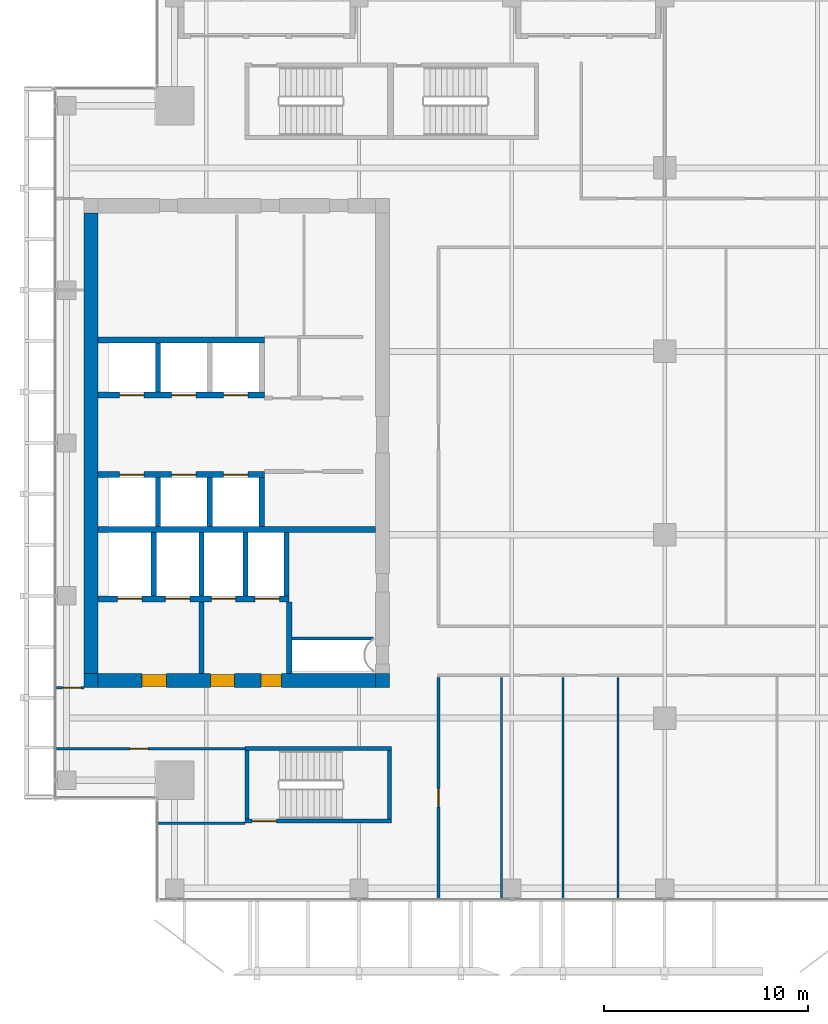
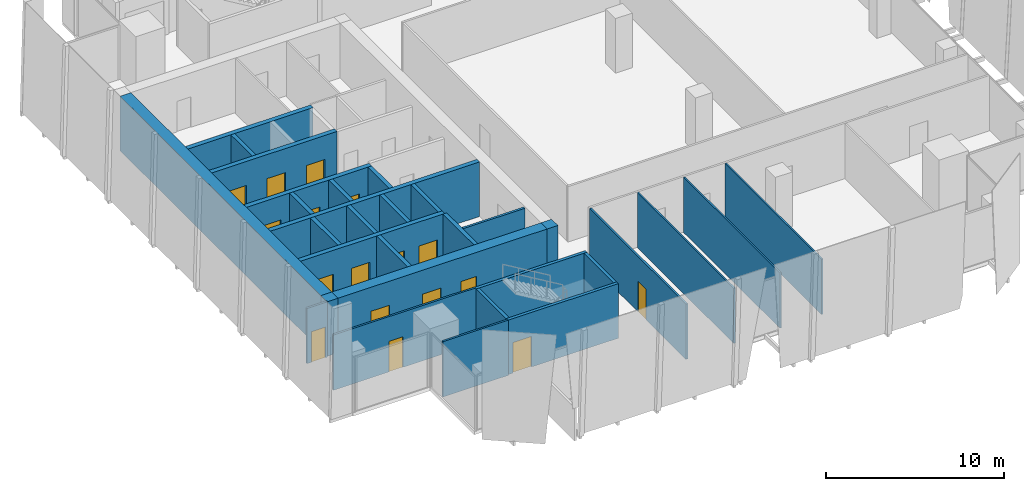
# One storey, part 28 of 35: 31 walls, 17 doors, 17 openings.
"""IFC4 building model written with IfcOpenShell, lengths in metres."""

from ifc_helpers import new_model, si_unit, direction, frame, frame_2d, origin, place, context, subcontext, project, spatial, rectangle, extrude, source, transform, mapped, material, layer, layer_set, type_object, element, fill, save


model = new_model("IFC4")

# Units and contexts
model_context = context("Model", 3, precision=1e-05, world=origin(), true_north=direction((0.0, 1.0)))
body_context = subcontext(model_context, "Body", "Model", "MODEL_VIEW")
ifc_project = project(units=[si_unit("LENGTHUNIT", "METRE"), si_unit("AREAUNIT", "SQUARE_METRE"), si_unit("VOLUMEUNIT", "CUBIC_METRE"), si_unit("PLANEANGLEUNIT", "RADIAN"), si_unit("MASSUNIT", "GRAM", prefix="KILO")], contexts=[model_context])

# Site, building, storey
site_placement = place(None, origin())
site = spatial("IfcSite", under=ifc_project, at=site_placement, CompositionType="ELEMENT")
building_placement = place(site_placement, origin())
building = spatial("IfcBuilding", under=site, at=building_placement, Name="Khomas Fold Tower", CompositionType="ELEMENT")
storey_placement = place(building_placement, frame((0.0, 0.0, 266.199951171875)))
storey = spatial("IfcBuildingStorey", under=building, at=storey_placement, Name="L60", CompositionType="ELEMENT", Elevation=266.199951171875)

# Wall
ifc_material_1 = material(Name="Concrete C50/60", Category="concrete")
ifc_layer_1 = layer(ifc_material_1, 0.199951171875)
ifc_layer_set_1 = layer_set([ifc_layer_1], Name="Concrete C50/60")
wall_type_1 = type_object("IfcWallType", Name="Stair wall 200", PredefinedType="SHEAR", material=ifc_layer_set_1)
shared_shape_1 = source(origin(), body_context, "Body", "SweptSolid", [
    extrude(rectangle(XDim=7.2001953125, YDim=0.199951171875, at=frame_2d((3.60009765625, 0.0))), origin(), (0.0, 0.0, 1.0), 3.75),
])
wall_1_placement = place(storey_placement, frame((13.89990234375, 12.0, 0.0), z_axis=(0.0, 0.0, 1.0), x_axis=(1.0, 0.0, 0.0)))
element("IfcWall", 1, at=wall_1_placement, inside=storey, type_object=wall_type_1, Name="Stair wall SW-ST2-NH", PredefinedType="SHEAR", context=body_context, shape_type="MappedRepresentation", body=[
    mapped(shared_shape_1, transform((0.0, 0.0, 0.0))),
])

# Wall, opening, door
wall_2_placement = place(storey_placement, frame((13.89990234375, 8.449951171875, 0.0), z_axis=(0.0, 0.0, 1.0), x_axis=(1.0, 0.0, 0.0)))
wall_2 = element("IfcWall", 2, at=wall_2_placement, inside=storey, type_object=wall_type_1, Name="Stair wall SW-ST2-S", PredefinedType="SHEAR", context=body_context, shape_type="MappedRepresentation", body=[
    mapped(shared_shape_1, transform((0.0, 0.0, 0.0))),
])
shared_shape_2 = source(origin(), body_context, "Body", "SweptSolid", [
    extrude(rectangle(XDim=1.199951171875, YDim=2.10009765625, at=frame_2d((0.60009765625, 1.050048828125))), frame((0.0, 0.10986328125, 0.0), z_axis=(0.0, -1.0, 0.0), x_axis=(1.0, 0.0, 0.0)), (0.0, 0.0, 1.0), 0.219970703125),
])
opening_1_placement = place(wall_2_placement, frame((0.35009765625, 0.0, 0.0)))
opening_1 = element("IfcOpeningElement", 3, at=opening_1_placement, cuts=wall_2, Name="Opening SD-ST2", PredefinedType="OPENING", context=body_context, shape_type="MappedRepresentation", body=[
    mapped(shared_shape_2, transform((0.0, 0.0, 0.0))),
])
ifc_material_2 = material(Name="Steel door leaf", Category="steel")
door_type_1 = type_object("IfcDoorType", Name="Stair door 1200x2100 right-hand", OperationType="SINGLE_SWING_RIGHT", PredefinedType="DOOR", material=ifc_material_2)
shared_shape_3 = source(origin(), body_context, "Body", "SweptSolid", [
    extrude(rectangle(XDim=1.199951171875, YDim=2.10009765625, at=frame_2d((0.60009765625, 1.050048828125))), frame((0.0, 0.02490234375, 0.0), z_axis=(0.0, -1.0, 0.0), x_axis=(1.0, 0.0, 0.0)), (0.0, 0.0, 1.0), 0.050048828125),
])
door_1_placement = place(opening_1_placement, origin())
door_1 = element("IfcDoor", 4, at=door_1_placement, inside=storey, type_object=door_type_1, Name="Stair door", OperationType="SINGLE_SWING_RIGHT", OverallHeight=2.10009765625, OverallWidth=1.199951171875, PredefinedType="DOOR", context=body_context, shape_type="MappedRepresentation", body=[
    mapped(shared_shape_3, transform((0.0, 0.0, 0.0))),
])
fill(opening_1, door_1)

# Walls
shared_shape_4 = source(origin(), body_context, "Body", "SweptSolid", [
    extrude(rectangle(XDim=3.349853515625, YDim=0.199951171875, at=frame_2d((1.6748046875, 0.0))), origin(), (0.0, 0.0, 1.0), 3.75),
])
for number, where, z_axis, x_axis, name in (
    (5, (21.0, 8.550048828125, 0.0), (0.0, 0.0, 1.0), (0.0, 1.0, 0.0), "Stair wall SW-ST2-E"),
    (6, (14.0, 8.550048828125, 0.0), (0.0, 0.0, 1.0), (0.0, 1.0, 0.0), "Stair wall SW-ST2-W"),
):
    element("IfcWall", number, at=place(storey_placement, frame(where, z_axis=z_axis, x_axis=x_axis)), inside=storey, type_object=wall_type_1, Name=name, PredefinedType="SHEAR", context=body_context, shape_type="MappedRepresentation", body=[
        mapped(shared_shape_4, transform((0.0, 0.0, 0.0))),
    ])
ifc_material_3 = material(Name="Concrete C50/60", Category="concrete")
ifc_layer_2 = layer(ifc_material_3, 0.25)
ifc_layer_set_2 = layer_set([ifc_layer_2], Name="Concrete C50/60")
wall_type_2 = type_object("IfcWallType", Name="Shaft wall 250", PredefinedType="STANDARD", material=ifc_layer_set_2)
shared_shape_5 = source(origin(), body_context, "Body", "SweptSolid", [
    extrude(rectangle(XDim=3.10009765625, YDim=0.25, at=frame_2d((1.550048828125, 0.0))), origin(), (0.0, 0.0, 1.0), 3.75),
])
for number, where, z_axis, x_axis, name in (
    (7, (9.425048828125, 19.5, 0.0), (0.0, 0.0, 1.0), (0.0, 1.0, 0.0), "Core wall SW-FS-P1"),
    (8, (11.77490234375, 19.5, 0.0), (0.0, 0.0, 1.0), (0.0, 1.0, 0.0), "Core wall SW-FS-P2"),
    (9, (13.925048828125, 19.5, 0.0), (0.0, 0.0, 1.0), (0.0, 1.0, 0.0), "Core wall SW-FS-P3"),
    (10, (15.949951171875, 19.5, 0.0), (0.0, 0.0, 1.0), (0.0, 1.0, 0.0), "Core wall SW-FS-PE"),
):
    element("IfcWall", number, at=place(storey_placement, frame(where, z_axis=z_axis, x_axis=x_axis)), inside=storey, type_object=wall_type_2, Name=name, PredefinedType="STANDARD", context=body_context, shape_type="MappedRepresentation", body=[
        mapped(shared_shape_5, transform((0.0, 0.0, 0.0))),
    ])
shared_shape_6 = source(origin(), body_context, "Body", "SweptSolid", [
    extrude(rectangle(XDim=2.39990234375, YDim=0.25, at=frame_2d((1.199951171875, 0.0))), origin(), (0.0, 0.0, 1.0), 3.75),
])
wall_3_placement = place(storey_placement, frame((9.625, 29.5, 0.0), z_axis=(0.0, 0.0, 1.0), x_axis=(0.0, 1.0, 0.0)))
element("IfcWall", 11, at=wall_3_placement, inside=storey, type_object=wall_type_2, Name="Core wall SW-HRN-P1", PredefinedType="STANDARD", context=body_context, shape_type="MappedRepresentation", body=[
    mapped(shared_shape_6, transform((0.0, 0.0, 0.0))),
])
shared_shape_7 = source(origin(), body_context, "Body", "SweptSolid", [
    extrude(rectangle(XDim=2.400146484375, YDim=0.25, at=frame_2d((1.2001953125, 0.0))), origin(), (0.0, 0.0, 1.0), 3.75),
])
for number, where, z_axis, x_axis, name in (
    (12, (9.625, 22.89990234375, 0.0), (0.0, 0.0, 1.0), (0.0, 1.0, 0.0), "Core wall SW-HRS-P1"),
    (13, (12.175048828125, 22.89990234375, 0.0), (0.0, 0.0, 1.0), (0.0, 1.0, 0.0), "Core wall SW-HRS-P2"),
    (14, (14.72509765625, 22.89990234375, 0.0), (0.0, 0.0, 1.0), (0.0, 1.0, 0.0), "Core wall SW-HRS-PE"),
):
    element("IfcWall", number, at=place(storey_placement, frame(where, z_axis=z_axis, x_axis=x_axis)), inside=storey, type_object=wall_type_2, Name=name, PredefinedType="STANDARD", context=body_context, shape_type="MappedRepresentation", body=[
        mapped(shared_shape_7, transform((0.0, 0.0, 0.0))),
    ])

# Wall, openings, doors
ifc_material_4 = material(Name="Concrete C60/75", Category="concrete")
ifc_layer_3 = layer(ifc_material_4, 0.699951171875)
ifc_layer_set_3 = layer_set([ifc_layer_3], Name="Concrete C60/75")
wall_type_3 = type_object("IfcWallType", Name="Core wall 700", PredefinedType="SHEAR", material=ifc_layer_set_3)
shared_shape_8 = source(origin(), body_context, "Body", "SweptSolid", [
    extrude(rectangle(XDim=13.60009765625, YDim=0.699951171875, at=frame_2d((6.800048828125, 0.0))), origin(), (0.0, 0.0, 1.0), 3.75),
])
wall_4_placement = place(storey_placement, frame((6.699951171875, 15.35009765625, 0.0), z_axis=(0.0, 0.0, 1.0), x_axis=(1.0, 0.0, 0.0)))
wall_4 = element("IfcWall", 15, at=wall_4_placement, inside=storey, type_object=wall_type_3, Name="Core wall CW-U-S-L49", PredefinedType="SHEAR", context=body_context, shape_type="MappedRepresentation", body=[
    mapped(shared_shape_8, transform((0.0, 0.0, 0.0))),
])
shared_shape_9 = source(origin(), body_context, "Body", "SweptSolid", [
    extrude(rectangle(XDim=1.199951171875, YDim=2.10009765625, at=frame_2d((0.60009765625, 1.050048828125))), frame((0.0, 0.35986328125, 0.0), z_axis=(0.0, -1.0, 0.0), x_axis=(1.0, 0.0, 0.0)), (0.0, 0.0, 1.0), 0.719970703125),
])
opening_2_placement = place(wall_4_placement, frame((5.5, 0.0, 0.0)))
opening_2 = element("IfcOpeningElement", 16, at=opening_2_placement, cuts=wall_4, Name="Opening 0009", PredefinedType="OPENING", context=body_context, shape_type="MappedRepresentation", body=[
    mapped(shared_shape_9, transform((0.0, 0.0, 0.0))),
])
opening_3_placement = place(wall_4_placement, frame((2.14990234375, 0.0, 0.0)))
opening_3 = element("IfcOpeningElement", 17, at=opening_3_placement, cuts=wall_4, Name="Opening 0009", PredefinedType="OPENING", context=body_context, shape_type="MappedRepresentation", body=[
    mapped(shared_shape_9, transform((0.0, 0.0, 0.0))),
])
shared_shape_10 = source(origin(), body_context, "Body", "SweptSolid", [
    extrude(rectangle(XDim=1.0, YDim=2.10009765625, at=frame_2d((0.5, 1.050048828125))), frame((0.0, 0.35986328125, 0.0), z_axis=(0.0, -1.0, 0.0), x_axis=(1.0, 0.0, 0.0)), (0.0, 0.0, 1.0), 0.719970703125),
])
opening_4_placement = place(wall_4_placement, frame((8.0, 0.0, 0.0)))
opening_4 = element("IfcOpeningElement", 18, at=opening_4_placement, cuts=wall_4, Name="Opening 0010", PredefinedType="OPENING", context=body_context, shape_type="MappedRepresentation", body=[
    mapped(shared_shape_10, transform((0.0, 0.0, 0.0))),
])
ifc_material_5 = material(Name="Steel door leaf", Category="steel")
door_type_2 = type_object("IfcDoorType", Name="Lobby door 1200x2100 right-hand", OperationType="SINGLE_SWING_RIGHT", PredefinedType="DOOR", material=ifc_material_5)
shared_shape_11 = source(origin(), body_context, "Body", "SweptSolid", [
    extrude(rectangle(XDim=1.199951171875, YDim=2.10009765625, at=frame_2d((0.60009765625, 1.050048828125))), frame((0.0, 0.2998046875, 0.0), z_axis=(0.0, -1.0, 0.0), x_axis=(1.0, 0.0, 0.0)), (0.0, 0.0, 1.0), 0.599853515625),
])
door_2_placement = place(opening_2_placement, origin())
door_2 = element("IfcDoor", 19, at=door_2_placement, inside=storey, type_object=door_type_2, Name="Lobby door", OperationType="SINGLE_SWING_RIGHT", OverallHeight=2.10009765625, OverallWidth=1.199951171875, PredefinedType="DOOR", context=body_context, shape_type="MappedRepresentation", body=[
    mapped(shared_shape_11, transform((0.0, 0.0, 0.0))),
])
fill(opening_2, door_2)
door_3_placement = place(opening_3_placement, origin())
door_3 = element("IfcDoor", 20, at=door_3_placement, inside=storey, type_object=door_type_2, Name="Lobby door", OperationType="SINGLE_SWING_RIGHT", OverallHeight=2.10009765625, OverallWidth=1.199951171875, PredefinedType="DOOR", context=body_context, shape_type="MappedRepresentation", body=[
    mapped(shared_shape_11, transform((0.0, 0.0, 0.0))),
])
fill(opening_3, door_3)
ifc_material_6 = material(Name="Steel door leaf", Category="steel")
door_type_3 = type_object("IfcDoorType", Name="Stair door 1000x2100 right-hand", OperationType="SINGLE_SWING_RIGHT", PredefinedType="DOOR", material=ifc_material_6)
shared_shape_12 = source(origin(), body_context, "Body", "SweptSolid", [
    extrude(rectangle(XDim=1.0, YDim=2.10009765625, at=frame_2d((0.5, 1.050048828125))), frame((0.0, 0.2998046875, 0.0), z_axis=(0.0, -1.0, 0.0), x_axis=(1.0, 0.0, 0.0)), (0.0, 0.0, 1.0), 0.599853515625),
])
door_4_placement = place(opening_4_placement, origin())
door_4 = element("IfcDoor", 21, at=door_4_placement, inside=storey, type_object=door_type_3, Name="Stair door", OperationType="SINGLE_SWING_RIGHT", OverallHeight=2.10009765625, OverallWidth=1.0, PredefinedType="DOOR", context=body_context, shape_type="MappedRepresentation", body=[
    mapped(shared_shape_12, transform((0.0, 0.0, 0.0))),
])
fill(opening_4, door_4)

# Walls
ifc_material_7 = material(Name="Concrete C60/75", Category="concrete")
ifc_layer_4 = layer(ifc_material_7, 0.699951171875)
ifc_layer_set_4 = layer_set([ifc_layer_4], Name="Concrete C60/75")
wall_type_4 = type_object("IfcWallType", Name="Core corner wall 700", PredefinedType="SHEAR", material=ifc_layer_set_4)
shared_shape_13 = source(origin(), body_context, "Body", "SweptSolid", [
    extrude(rectangle(XDim=0.699951171875, YDim=0.699951171875, at=frame_2d((0.35009765625, 0.0))), origin(), (0.0, 0.0, 1.0), 3.75),
])
for number, where, z_axis, x_axis, name in (
    (22, (20.300048828125, 15.35009765625, 0.0), (0.0, 0.0, 1.0), (1.0, 0.0, 0.0), "Core wall CW-U-SE-L49"),
    (23, (6.0, 15.35009765625, 0.0), (0.0, 0.0, 1.0), (1.0, 0.0, 0.0), "Core wall CW-U-SW-L49"),
):
    element("IfcWall", number, at=place(storey_placement, frame(where, z_axis=z_axis, x_axis=x_axis)), inside=storey, type_object=wall_type_4, Name=name, PredefinedType="SHEAR", context=body_context, shape_type="MappedRepresentation", body=[
        mapped(shared_shape_13, transform((0.0, 0.0, 0.0))),
    ])
shared_shape_14 = source(origin(), body_context, "Body", "SweptSolid", [
    extrude(rectangle(XDim=22.60009765625, YDim=0.699951171875, at=frame_2d((11.300048828125, 0.0))), origin(), (0.0, 0.0, 1.0), 3.75),
])
wall_5_placement = place(storey_placement, frame((6.35009765625, 15.699951171875, 0.0), z_axis=(0.0, 0.0, 1.0), x_axis=(0.0, 1.0, 0.0)))
element("IfcWall", 24, at=wall_5_placement, inside=storey, type_object=wall_type_3, Name="Core wall CW-U-W-L49", PredefinedType="SHEAR", context=body_context, shape_type="MappedRepresentation", body=[
    mapped(shared_shape_14, transform((0.0, 0.0, 0.0))),
])
ifc_material_8 = material(Name="Concrete C50/60", Category="concrete")
ifc_layer_5 = layer(ifc_material_8, 0.300048828125)
ifc_layer_set_5 = layer_set([ifc_layer_5], Name="Concrete C50/60")
wall_type_5 = type_object("IfcWallType", Name="Shaft wall 300", PredefinedType="STANDARD", material=ifc_layer_set_5)
shared_shape_15 = source(origin(), body_context, "Body", "SweptSolid", [
    extrude(rectangle(XDim=13.60009765625, YDim=0.300048828125, at=frame_2d((6.800048828125, 0.0))), origin(), (0.0, 0.0, 1.0), 3.75),
])
wall_6_placement = place(storey_placement, frame((6.699951171875, 22.75, 0.0), z_axis=(0.0, 0.0, 1.0), x_axis=(1.0, 0.0, 0.0)))
element("IfcWall", 25, at=wall_6_placement, inside=storey, type_object=wall_type_5, Name="Core wall SW-FS-B", PredefinedType="STANDARD", context=body_context, shape_type="MappedRepresentation", body=[
    mapped(shared_shape_15, transform((0.0, 0.0, 0.0))),
])

# Wall, openings, doors
shared_shape_16 = source(origin(), body_context, "Body", "SweptSolid", [
    extrude(rectangle(XDim=9.375, YDim=0.300048828125, at=frame_2d((4.6875, 0.0))), origin(), (0.0, 0.0, 1.0), 3.75),
])
wall_7_placement = place(storey_placement, frame((6.699951171875, 19.35009765625, 0.0), z_axis=(0.0, 0.0, 1.0), x_axis=(1.0, 0.0, 0.0)))
wall_7 = element("IfcWall", 26, at=wall_7_placement, inside=storey, type_object=wall_type_5, Name="Core wall SW-FS-F", PredefinedType="STANDARD", context=body_context, shape_type="MappedRepresentation", body=[
    mapped(shared_shape_16, transform((0.0, 0.0, 0.0))),
])
shared_shape_17 = source(origin(), body_context, "Body", "SweptSolid", [
    extrude(rectangle(XDim=1.199951171875, YDim=2.10009765625, at=frame_2d((0.60009765625, 1.050048828125))), frame((0.0, 0.159912109375, 0.0), z_axis=(0.0, -1.0, 0.0), x_axis=(1.0, 0.0, 0.0)), (0.0, 0.0, 1.0), 0.320068359375),
])
opening_5_placement = place(wall_7_placement, frame((0.949951171875, 0.0, 0.0)))
opening_5 = element("IfcOpeningElement", 27, at=opening_5_placement, cuts=wall_7, Name="Opening LD-SV1", PredefinedType="OPENING", context=body_context, shape_type="MappedRepresentation", body=[
    mapped(shared_shape_17, transform((0.0, 0.0, 0.0))),
])
opening_6_placement = place(wall_7_placement, frame((3.300048828125, 0.0, 0.0)))
opening_6 = element("IfcOpeningElement", 28, at=opening_6_placement, cuts=wall_7, Name="Opening LD-SV2", PredefinedType="OPENING", context=body_context, shape_type="MappedRepresentation", body=[
    mapped(shared_shape_17, transform((0.0, 0.0, 0.0))),
])
opening_7_placement = place(wall_7_placement, frame((5.550048828125, 0.0, 0.0)))
opening_7 = element("IfcOpeningElement", 29, at=opening_7_placement, cuts=wall_7, Name="Opening LD-FF1", PredefinedType="OPENING", context=body_context, shape_type="MappedRepresentation", body=[
    mapped(shared_shape_17, transform((0.0, 0.0, 0.0))),
])
opening_8_placement = place(wall_7_placement, frame((7.699951171875, 0.0, 0.0)))
opening_8 = element("IfcOpeningElement", 30, at=opening_8_placement, cuts=wall_7, Name="Opening LD-FF2", PredefinedType="OPENING", context=body_context, shape_type="MappedRepresentation", body=[
    mapped(shared_shape_17, transform((0.0, 0.0, 0.0))),
])
ifc_material_9 = material(Name="Steel door leaf", Category="steel")
door_type_4 = type_object("IfcDoorType", Name="Landing door 1200x2100", OperationType="DOUBLE_DOOR_SLIDING", PredefinedType="DOOR", material=ifc_material_9)
door_5_placement = place(opening_5_placement, origin())
door_5 = element("IfcDoor", 31, at=door_5_placement, inside=storey, type_object=door_type_4, Name="Lift landing door", OperationType="DOUBLE_DOOR_SLIDING", OverallHeight=2.10009765625, OverallWidth=1.199951171875, PredefinedType="DOOR", context=body_context, shape_type="MappedRepresentation", body=[
    mapped(shared_shape_3, transform((0.0, 0.0, 0.0))),
])
fill(opening_5, door_5)
door_6_placement = place(opening_6_placement, origin())
door_6 = element("IfcDoor", 32, at=door_6_placement, inside=storey, type_object=door_type_4, Name="Lift landing door", OperationType="DOUBLE_DOOR_SLIDING", OverallHeight=2.10009765625, OverallWidth=1.199951171875, PredefinedType="DOOR", context=body_context, shape_type="MappedRepresentation", body=[
    mapped(shared_shape_3, transform((0.0, 0.0, 0.0))),
])
fill(opening_6, door_6)
door_7_placement = place(opening_7_placement, origin())
door_7 = element("IfcDoor", 33, at=door_7_placement, inside=storey, type_object=door_type_4, Name="Lift landing door", OperationType="DOUBLE_DOOR_SLIDING", OverallHeight=2.10009765625, OverallWidth=1.199951171875, PredefinedType="DOOR", context=body_context, shape_type="MappedRepresentation", body=[
    mapped(shared_shape_3, transform((0.0, 0.0, 0.0))),
])
fill(opening_7, door_7)
door_8_placement = place(opening_8_placement, origin())
door_8 = element("IfcDoor", 34, at=door_8_placement, inside=storey, type_object=door_type_4, Name="Lift landing door", OperationType="DOUBLE_DOOR_SLIDING", OverallHeight=2.10009765625, OverallWidth=1.199951171875, PredefinedType="DOOR", context=body_context, shape_type="MappedRepresentation", body=[
    mapped(shared_shape_3, transform((0.0, 0.0, 0.0))),
])
fill(opening_8, door_8)

# Walls
ifc_material_10 = material(Name="Concrete C50/60", Category="concrete")
ifc_layer_6 = layer(ifc_material_10, 0.25)
ifc_layer_set_6 = layer_set([ifc_layer_6], Name="Concrete C50/60")
wall_type_6 = type_object("IfcWallType", Name="Lobby wall 250", PredefinedType="STANDARD", material=ifc_layer_set_6)
shared_shape_18 = source(origin(), body_context, "Body", "SweptSolid", [
    extrude(rectangle(XDim=3.5, YDim=0.25, at=frame_2d((1.75, 0.0))), origin(), (0.0, 0.0, 1.0), 3.75),
])
for number, where, z_axis, x_axis, name in (
    (35, (16.074951171875, 15.699951171875, 0.0), (0.0, 0.0, 1.0), (0.0, 1.0, 0.0), "Core wall SW-FS-LOB-E"),
    (36, (11.77490234375, 15.699951171875, 0.0), (0.0, 0.0, 1.0), (0.0, 1.0, 0.0), "Core wall SW-FS-SEP"),
):
    element("IfcWall", number, at=place(storey_placement, frame(where, z_axis=z_axis, x_axis=x_axis)), inside=storey, type_object=wall_type_6, Name=name, PredefinedType="STANDARD", context=body_context, shape_type="MappedRepresentation", body=[
        mapped(shared_shape_18, transform((0.0, 0.0, 0.0))),
    ])
shared_shape_19 = source(origin(), body_context, "Body", "SweptSolid", [
    extrude(rectangle(XDim=8.150146484375, YDim=0.300048828125, at=frame_2d((4.0751953125, 0.0))), origin(), (0.0, 0.0, 1.0), 3.75),
])
wall_8_placement = place(storey_placement, frame((6.699951171875, 32.050048828125, 0.0), z_axis=(0.0, 0.0, 1.0), x_axis=(1.0, 0.0, 0.0)))
element("IfcWall", 37, at=wall_8_placement, inside=storey, type_object=wall_type_5, Name="Core wall SW-HRN-B", PredefinedType="STANDARD", context=body_context, shape_type="MappedRepresentation", body=[
    mapped(shared_shape_19, transform((0.0, 0.0, 0.0))),
])

# Wall, openings, doors
wall_9_placement = place(storey_placement, frame((6.699951171875, 29.35009765625, 0.0), z_axis=(0.0, 0.0, 1.0), x_axis=(1.0, 0.0, 0.0)))
wall_9 = element("IfcWall", 38, at=wall_9_placement, inside=storey, type_object=wall_type_5, Name="Core wall SW-HRN-F", PredefinedType="STANDARD", context=body_context, shape_type="MappedRepresentation", body=[
    mapped(shared_shape_19, transform((0.0, 0.0, 0.0))),
])
opening_9_placement = place(wall_9_placement, frame((1.050048828125, 0.0, 0.0)))
opening_9 = element("IfcOpeningElement", 39, at=opening_9_placement, cuts=wall_9, Name="Opening LD-HR4", PredefinedType="OPENING", context=body_context, shape_type="MappedRepresentation", body=[
    mapped(shared_shape_17, transform((0.0, 0.0, 0.0))),
])
opening_10_placement = place(wall_9_placement, frame((3.60009765625, 0.0, 0.0)))
opening_10 = element("IfcOpeningElement", 40, at=opening_10_placement, cuts=wall_9, Name="Opening LD-HR5", PredefinedType="OPENING", context=body_context, shape_type="MappedRepresentation", body=[
    mapped(shared_shape_17, transform((0.0, 0.0, 0.0))),
])
opening_11_placement = place(wall_9_placement, frame((6.14990234375, 0.0, 0.0)))
opening_11 = element("IfcOpeningElement", 41, at=opening_11_placement, cuts=wall_9, Name="Opening LD-HR6", PredefinedType="OPENING", context=body_context, shape_type="MappedRepresentation", body=[
    mapped(shared_shape_17, transform((0.0, 0.0, 0.0))),
])
door_9_placement = place(opening_9_placement, origin())
door_9 = element("IfcDoor", 42, at=door_9_placement, inside=storey, type_object=door_type_4, Name="Lift landing door", OperationType="DOUBLE_DOOR_SLIDING", OverallHeight=2.10009765625, OverallWidth=1.199951171875, PredefinedType="DOOR", context=body_context, shape_type="MappedRepresentation", body=[
    mapped(shared_shape_3, transform((0.0, 0.0, 0.0))),
])
fill(opening_9, door_9)
door_10_placement = place(opening_10_placement, origin())
door_10 = element("IfcDoor", 43, at=door_10_placement, inside=storey, type_object=door_type_4, Name="Lift landing door", OperationType="DOUBLE_DOOR_SLIDING", OverallHeight=2.10009765625, OverallWidth=1.199951171875, PredefinedType="DOOR", context=body_context, shape_type="MappedRepresentation", body=[
    mapped(shared_shape_3, transform((0.0, 0.0, 0.0))),
])
fill(opening_10, door_10)
door_11_placement = place(opening_11_placement, origin())
door_11 = element("IfcDoor", 44, at=door_11_placement, inside=storey, type_object=door_type_4, Name="Lift landing door", OperationType="DOUBLE_DOOR_SLIDING", OverallHeight=2.10009765625, OverallWidth=1.199951171875, PredefinedType="DOOR", context=body_context, shape_type="MappedRepresentation", body=[
    mapped(shared_shape_3, transform((0.0, 0.0, 0.0))),
])
fill(opening_11, door_11)

wall_10_placement = place(storey_placement, frame((6.699951171875, 25.449951171875, 0.0), z_axis=(0.0, 0.0, 1.0), x_axis=(1.0, 0.0, 0.0)))
wall_10 = element("IfcWall", 45, at=wall_10_placement, inside=storey, type_object=wall_type_5, Name="Core wall SW-HRS-F", PredefinedType="STANDARD", context=body_context, shape_type="MappedRepresentation", body=[
    mapped(shared_shape_19, transform((0.0, 0.0, 0.0))),
])
opening_12_placement = place(wall_10_placement, frame((1.050048828125, 0.0, 0.0)))
opening_12 = element("IfcOpeningElement", 46, at=opening_12_placement, cuts=wall_10, Name="Opening LD-HR1", PredefinedType="OPENING", context=body_context, shape_type="MappedRepresentation", body=[
    mapped(shared_shape_17, transform((0.0, 0.0, 0.0))),
])
opening_13_placement = place(wall_10_placement, frame((3.60009765625, 0.0, 0.0)))
opening_13 = element("IfcOpeningElement", 47, at=opening_13_placement, cuts=wall_10, Name="Opening LD-HR2", PredefinedType="OPENING", context=body_context, shape_type="MappedRepresentation", body=[
    mapped(shared_shape_17, transform((0.0, 0.0, 0.0))),
])
opening_14_placement = place(wall_10_placement, frame((6.14990234375, 0.0, 0.0)))
opening_14 = element("IfcOpeningElement", 48, at=opening_14_placement, cuts=wall_10, Name="Opening LD-HR3", PredefinedType="OPENING", context=body_context, shape_type="MappedRepresentation", body=[
    mapped(shared_shape_17, transform((0.0, 0.0, 0.0))),
])
door_12_placement = place(opening_12_placement, origin())
door_12 = element("IfcDoor", 49, at=door_12_placement, inside=storey, type_object=door_type_4, Name="Lift landing door", OperationType="DOUBLE_DOOR_SLIDING", OverallHeight=2.10009765625, OverallWidth=1.199951171875, PredefinedType="DOOR", context=body_context, shape_type="MappedRepresentation", body=[
    mapped(shared_shape_3, transform((0.0, 0.0, 0.0))),
])
fill(opening_12, door_12)
door_13_placement = place(opening_13_placement, origin())
door_13 = element("IfcDoor", 50, at=door_13_placement, inside=storey, type_object=door_type_4, Name="Lift landing door", OperationType="DOUBLE_DOOR_SLIDING", OverallHeight=2.10009765625, OverallWidth=1.199951171875, PredefinedType="DOOR", context=body_context, shape_type="MappedRepresentation", body=[
    mapped(shared_shape_3, transform((0.0, 0.0, 0.0))),
])
fill(opening_13, door_13)
door_14_placement = place(opening_14_placement, origin())
door_14 = element("IfcDoor", 51, at=door_14_placement, inside=storey, type_object=door_type_4, Name="Lift landing door", OperationType="DOUBLE_DOOR_SLIDING", OverallHeight=2.10009765625, OverallWidth=1.199951171875, PredefinedType="DOOR", context=body_context, shape_type="MappedRepresentation", body=[
    mapped(shared_shape_3, transform((0.0, 0.0, 0.0))),
])
fill(opening_14, door_14)

# Wall
ifc_material_11 = material(Name="Plasterboard fire partition")
ifc_layer_7 = layer(ifc_material_11, 0.14990234375)
ifc_layer_set_7 = layer_set([ifc_layer_7], Name="Plasterboard fire partition")
wall_type_7 = type_object("IfcWallType", Name="Plant room wall PW3 150", PredefinedType="PARTITIONING", material=ifc_layer_set_7)
shared_shape_20 = source(origin(), body_context, "Body", "SweptSolid", [
    extrude(rectangle(XDim=4.0, YDim=0.14990234375, at=frame_2d((2.0, 0.0))), origin(), (0.0, 0.0, 1.0), 3.800048828125),
])
wall_11_placement = place(storey_placement, frame((16.199951171875, 17.39990234375, 0.0), z_axis=(0.0, 0.0, 1.0), x_axis=(1.0, 0.0, 0.0)))
element("IfcWall", 52, at=wall_11_placement, inside=storey, type_object=wall_type_7, Name="Plant room wall", PredefinedType="PARTITIONING", context=body_context, shape_type="MappedRepresentation", body=[
    mapped(shared_shape_20, transform((0.0, 0.0, 0.0))),
])

# Wall, opening, door
ifc_material_12 = material(Name="Plasterboard partition")
ifc_layer_8 = layer(ifc_material_12, 0.125)
ifc_layer_set_8 = layer_set([ifc_layer_8], Name="Plasterboard partition")
wall_type_8 = type_object("IfcWallType", Name="Partition PW2 125", PredefinedType="PARTITIONING", material=ifc_layer_set_8)
shared_shape_21 = source(origin(), body_context, "Body", "SweptSolid", [
    extrude(rectangle(XDim=9.25, YDim=0.125, at=frame_2d((4.625, 0.0))), origin(), (0.0, 0.0, 1.0), 3.800048828125),
])
wall_12_placement = place(storey_placement, frame((4.64990234375, 12.0, 0.0), z_axis=(0.0, 0.0, 1.0), x_axis=(1.0, 0.0, 0.0)))
wall_12 = element("IfcWall", 53, at=wall_12_placement, inside=storey, type_object=wall_type_8, Name="Partition", PredefinedType="PARTITIONING", context=body_context, shape_type="MappedRepresentation", body=[
    mapped(shared_shape_21, transform((0.0, 0.0, 0.0))),
])
shared_shape_22 = source(origin(), body_context, "Body", "SweptSolid", [
    extrude(rectangle(XDim=0.89990234375, YDim=2.10009765625, at=frame_2d((0.449951171875, 1.050048828125))), frame((0.0, 0.072509765625, 0.0), z_axis=(0.0, -1.0, 0.0), x_axis=(1.0, 0.0, 0.0)), (0.0, 0.0, 1.0), 0.14501953125),
])
opening_15_placement = place(wall_12_placement, frame((3.60009765625, 0.0, 0.0)))
opening_15 = element("IfcOpeningElement", 54, at=opening_15_placement, cuts=wall_12, Name="Opening 0007", PredefinedType="OPENING", context=body_context, shape_type="MappedRepresentation", body=[
    mapped(shared_shape_22, transform((0.0, 0.0, 0.0))),
])
ifc_material_13 = material(Name="Timber door leaf", Category="wood")
door_type_5 = type_object("IfcDoorType", Name="Door 900x2100 left-hand", OperationType="SINGLE_SWING_LEFT", PredefinedType="DOOR", material=ifc_material_13)
shared_shape_23 = source(origin(), body_context, "Body", "SweptSolid", [
    extrude(rectangle(XDim=0.89990234375, YDim=2.10009765625, at=frame_2d((0.449951171875, 1.050048828125))), frame((0.0, 0.02490234375, 0.0), z_axis=(0.0, -1.0, 0.0), x_axis=(1.0, 0.0, 0.0)), (0.0, 0.0, 1.0), 0.050048828125),
])
door_15_placement = place(opening_15_placement, origin())
door_15 = element("IfcDoor", 55, at=door_15_placement, inside=storey, type_object=door_type_5, Name="Door", OperationType="SINGLE_SWING_LEFT", OverallHeight=2.10009765625, OverallWidth=0.89990234375, PredefinedType="DOOR", context=body_context, shape_type="MappedRepresentation", body=[
    mapped(shared_shape_23, transform((0.0, 0.0, 0.0))),
])
fill(opening_15, door_15)

shared_shape_24 = source(origin(), body_context, "Body", "SweptSolid", [
    extrude(rectangle(XDim=10.85009765625, YDim=0.125, at=frame_2d((5.425048828125, 0.0))), origin(), (0.0, 0.0, 1.0), 3.800048828125),
])
wall_13_placement = place(storey_placement, frame((23.39990234375, 4.64990234375, 0.0), z_axis=(0.0, 0.0, 1.0), x_axis=(0.0, 1.0, 0.0)))
wall_13 = element("IfcWall", 56, at=wall_13_placement, inside=storey, type_object=wall_type_8, Name="Partition", PredefinedType="PARTITIONING", context=body_context, shape_type="MappedRepresentation", body=[
    mapped(shared_shape_24, transform((0.0, 0.0, 0.0))),
])
opening_16_placement = place(wall_13_placement, frame((4.5, 0.0, 0.0)))
opening_16 = element("IfcOpeningElement", 57, at=opening_16_placement, cuts=wall_13, Name="Opening 0005", PredefinedType="OPENING", context=body_context, shape_type="MappedRepresentation", body=[
    mapped(shared_shape_22, transform((0.0, 0.0, 0.0))),
])
ifc_material_14 = material(Name="Timber door leaf", Category="wood")
door_type_6 = type_object("IfcDoorType", Name="WC door 900x2100 left-hand", OperationType="SINGLE_SWING_LEFT", PredefinedType="DOOR", material=ifc_material_14)
door_16_placement = place(opening_16_placement, origin())
door_16 = element("IfcDoor", 58, at=door_16_placement, inside=storey, type_object=door_type_6, Name="WC door", OperationType="SINGLE_SWING_LEFT", OverallHeight=2.10009765625, OverallWidth=0.89990234375, PredefinedType="DOOR", context=body_context, shape_type="MappedRepresentation", body=[
    mapped(shared_shape_23, transform((0.0, 0.0, 0.0))),
])
fill(opening_16, door_16)

# Walls
ifc_material_15 = material(Name="Plasterboard partition")
ifc_layer_9 = layer(ifc_material_15, 0.10009765625)
ifc_layer_set_9 = layer_set([ifc_layer_9], Name="Plasterboard partition")
wall_type_9 = type_object("IfcWallType", Name="Partition PW1 100", PredefinedType="PARTITIONING", material=ifc_layer_set_9)
shared_shape_25 = source(origin(), body_context, "Body", "SweptSolid", [
    extrude(rectangle(XDim=10.85009765625, YDim=0.10009765625, at=frame_2d((5.425048828125, 0.0))), origin(), (0.0, 0.0, 1.0), 3.800048828125),
])
for number, where, z_axis, x_axis, name in (
    (59, (26.5, 4.64990234375, 0.0), (0.0, 0.0, 1.0), (0.0, 1.0, 0.0), "Partition"),
    (60, (29.5, 4.64990234375, 0.0), (0.0, 0.0, 1.0), (0.0, 1.0, 0.0), "Partition"),
    (61, (32.199951171875, 4.64990234375, 0.0), (0.0, 0.0, 1.0), (0.0, 1.0, 0.0), "Partition"),
):
    element("IfcWall", number, at=place(storey_placement, frame(where, z_axis=z_axis, x_axis=x_axis)), inside=storey, type_object=wall_type_9, Name=name, PredefinedType="PARTITIONING", context=body_context, shape_type="MappedRepresentation", body=[
        mapped(shared_shape_25, transform((0.0, 0.0, 0.0))),
    ])
shared_shape_26 = source(origin(), body_context, "Body", "SweptSolid", [
    extrude(rectangle(XDim=4.25, YDim=0.125, at=frame_2d((2.125, 0.0))), origin(), (0.0, 0.0, 1.0), 3.800048828125),
])
wall_14_placement = place(storey_placement, frame((9.64990234375, 8.35009765625, 0.0), z_axis=(0.0, 0.0, 1.0), x_axis=(1.0, 0.0, 0.0)))
element("IfcWall", 62, at=wall_14_placement, inside=storey, type_object=wall_type_8, Name="Partition", PredefinedType="PARTITIONING", context=body_context, shape_type="MappedRepresentation", body=[
    mapped(shared_shape_26, transform((0.0, 0.0, 0.0))),
])

# Wall, opening, door
shared_shape_27 = source(origin(), body_context, "Body", "SweptSolid", [
    extrude(rectangle(XDim=1.35009765625, YDim=0.125, at=frame_2d((0.675048828125, 0.0))), origin(), (0.0, 0.0, 1.0), 3.800048828125),
])
wall_15_placement = place(storey_placement, frame((4.64990234375, 15.0, 0.0), z_axis=(0.0, 0.0, 1.0), x_axis=(1.0, 0.0, 0.0)))
wall_15 = element("IfcWall", 63, at=wall_15_placement, inside=storey, type_object=wall_type_8, Name="Partition", PredefinedType="PARTITIONING", context=body_context, shape_type="MappedRepresentation", body=[
    mapped(shared_shape_27, transform((0.0, 0.0, 0.0))),
])
opening_17_placement = place(wall_15_placement, frame((0.300048828125, 0.0, 0.0)))
opening_17 = element("IfcOpeningElement", 64, at=opening_17_placement, cuts=wall_15, Name="Opening 0007", PredefinedType="OPENING", context=body_context, shape_type="MappedRepresentation", body=[
    mapped(shared_shape_22, transform((0.0, 0.0, 0.0))),
])
door_17_placement = place(opening_17_placement, origin())
door_17 = element("IfcDoor", 65, at=door_17_placement, inside=storey, type_object=door_type_5, Name="Door", OperationType="SINGLE_SWING_LEFT", OverallHeight=2.10009765625, OverallWidth=0.89990234375, PredefinedType="DOOR", context=body_context, shape_type="MappedRepresentation", body=[
    mapped(shared_shape_23, transform((0.0, 0.0, 0.0))),
])
fill(opening_17, door_17)

save(model, "model.ifc")
